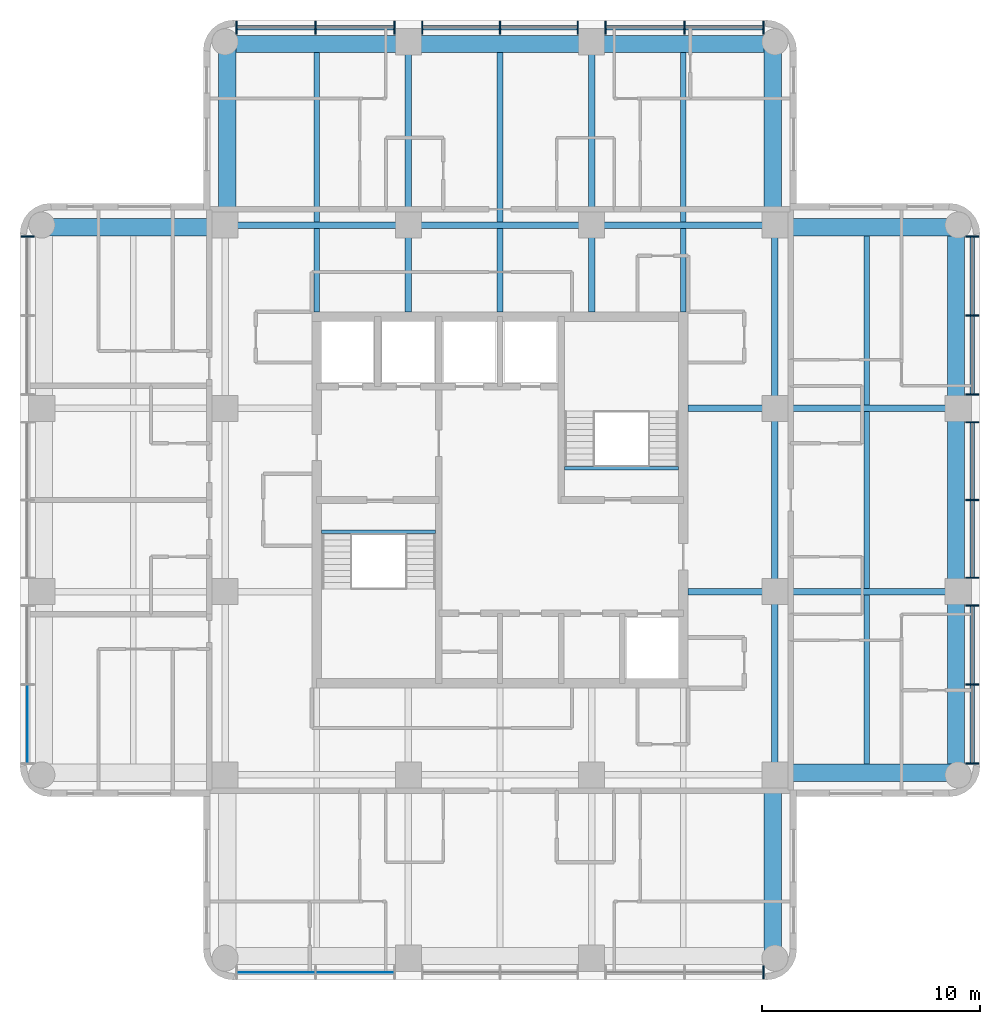
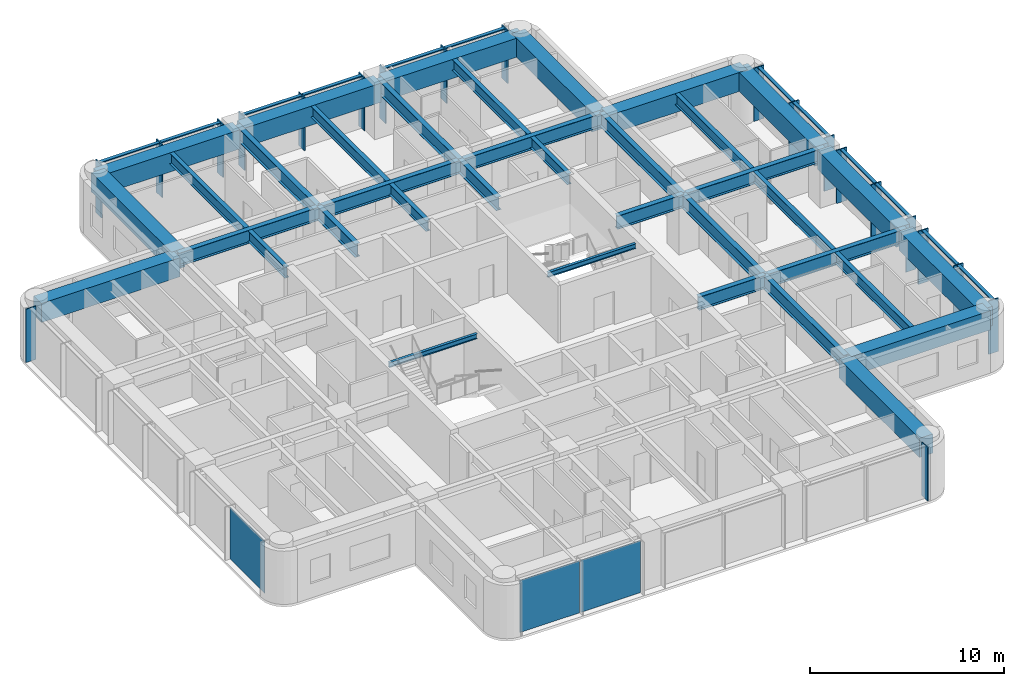
# One storey, part 2 of 10: 37 beams, 32 members, 3 plates, 4 elements without a shape of their own.
"""IFC4 building model written with IfcOpenShell, lengths in metres."""

from ifc_helpers import new_model, si_unit, direction, frame, origin, origin_2d, place, context, subcontext, project, spatial, rectangle, i_section, extrude, material, layer, layer_set, material_profile, profile_set, type_object, element, aggregate, save


model = new_model("IFC4")

# Units and contexts
model_context = context("Model", 3, precision=1e-05, world=origin(), true_north=direction((0.0, 1.0)))
body_context = subcontext(model_context, "Body", "Model", "MODEL_VIEW")
ifc_project = project(units=[si_unit("LENGTHUNIT", "METRE"), si_unit("AREAUNIT", "SQUARE_METRE"), si_unit("VOLUMEUNIT", "CUBIC_METRE"), si_unit("PLANEANGLEUNIT", "RADIAN"), si_unit("MASSUNIT", "GRAM", prefix="KILO")], contexts=[model_context])

# Site, building, storey
site_placement = place(None, origin())
site = spatial("IfcSite", under=ifc_project, at=site_placement, CompositionType="ELEMENT")
building_placement = place(site_placement, origin())
building = spatial("IfcBuilding", under=site, at=building_placement, Name="Torre Alcanfor", CompositionType="ELEMENT")
storey_placement = place(building_placement, frame((0.0, 0.0, 297.300048828125)))
storey = spatial("IfcBuildingStorey", under=building, at=storey_placement, Name="L78", CompositionType="ELEMENT", Elevation=297.300048828125)

# Curtain wall, member
ifc_material_1 = material(Name="Aluminium and glass", Category="aluminium")
curtain_wall_type = type_object("IfcCurtainWallType", Name="CW-A unitised apartment glazing with vertical FIN", PredefinedType="NOTDEFINED", material=ifc_material_1)
curtain_wall_1_placement = place(storey_placement, origin())
curtain_wall_1 = element("IfcCurtainWall", 1, at=curtain_wall_1_placement, inside=storey, type_object=curtain_wall_type, Name="Curtain wall CW-A L78 2", PredefinedType="NOTDEFINED")
ifc_material_2 = material(Name="Bronze anodised aluminium", Category="aluminium")
ifc_material_profile_1 = material_profile(ifc_material_2, rectangle(XDim=0.60009765625, YDim=0.06494140625, at=origin_2d()), Name="CW-A mullion 65x600")
ifc_profile_set_1 = profile_set([ifc_material_profile_1], Name="Bronze anodised aluminium")
member_type_1 = type_object("IfcMemberType", Name="CW-A mullion with vertical FIN 65x600", PredefinedType="MULLION", material=ifc_profile_set_1)
member_1_placement = place(storey_placement, frame((7.75, 41.47412109375, 0.0), z_axis=(0.0, 0.0, 1.0), x_axis=(1.0, 0.0, 0.0)))
member_1 = element("IfcMember", 2, at=member_1_placement, type_object=member_type_1, Name="CW-A mullion 1.1", PredefinedType="MULLION", context=body_context, shape_type="SweptSolid", body=[
    extrude(rectangle(XDim=0.60009765625, YDim=0.06494140625, at=origin_2d()), origin(), (0.0, 0.0, 1.0), 3.349853515625),
])

curtain_wall_2_placement = place(storey_placement, origin())
curtain_wall_2 = element("IfcCurtainWall", 3, at=curtain_wall_2_placement, inside=storey, type_object=curtain_wall_type, Name="Curtain wall CW-A L78 5", PredefinedType="NOTDEFINED")
member_2_placement = place(storey_placement, frame((41.47412109375, 7.75, 0.0), z_axis=(0.0, 0.0, 1.0), x_axis=(0.0, 1.0, 0.0)))
member_2 = element("IfcMember", 4, at=member_2_placement, type_object=member_type_1, Name="CW-A mullion 3.3", PredefinedType="MULLION", context=body_context, shape_type="SweptSolid", body=[
    extrude(rectangle(XDim=0.60009765625, YDim=0.06494140625, at=origin_2d()), origin(), (0.0, 0.0, 1.0), 3.349853515625),
])

# Curtain wall, members
curtain_wall_3_placement = place(storey_placement, origin())
curtain_wall_3 = element("IfcCurtainWall", 5, at=curtain_wall_3_placement, inside=storey, type_object=curtain_wall_type, Name="Curtain wall CW-A L78 8", PredefinedType="NOTDEFINED")
member_3_placement = place(storey_placement, frame((51.050048828125, 17.325927734375, 0.0), z_axis=(0.0, 0.0, 1.0), x_axis=(-1.0, 0.0, 0.0)))
member_3 = element("IfcMember", 6, at=member_3_placement, type_object=member_type_1, Name="CW-A mullion 1.1", PredefinedType="MULLION", context=body_context, shape_type="SweptSolid", body=[
    extrude(rectangle(XDim=0.60009765625, YDim=0.06494140625, at=origin_2d()), origin(), (0.0, 0.0, 1.0), 3.349853515625),
])
member_4_placement = place(storey_placement, frame((51.050048828125, 20.9443359375, 0.0), z_axis=(0.0, 0.0, 1.0), x_axis=(-1.0, 0.0, 0.0)))
member_4 = element("IfcMember", 7, at=member_4_placement, type_object=member_type_1, Name="CW-A mullion 1.2", PredefinedType="MULLION", context=body_context, shape_type="SweptSolid", body=[
    extrude(rectangle(XDim=0.60009765625, YDim=0.06494140625, at=origin_2d()), origin(), (0.0, 0.0, 1.0), 3.349853515625),
])
member_5_placement = place(storey_placement, frame((51.050048828125, 24.5625, 0.0), z_axis=(0.0, 0.0, 1.0), x_axis=(-1.0, 0.0, 0.0)))
member_5 = element("IfcMember", 8, at=member_5_placement, type_object=member_type_1, Name="CW-A mullion 1.3", PredefinedType="MULLION", context=body_context, shape_type="SweptSolid", body=[
    extrude(rectangle(XDim=0.60009765625, YDim=0.06494140625, at=origin_2d()), origin(), (0.0, 0.0, 1.0), 3.349853515625),
])
member_6_placement = place(storey_placement, frame((51.050048828125, 25.83740234375, 0.0), z_axis=(0.0, 0.0, 1.0), x_axis=(-1.0, 0.0, 0.0)))
member_6 = element("IfcMember", 9, at=member_6_placement, type_object=member_type_1, Name="CW-A mullion 2.1", PredefinedType="MULLION", context=body_context, shape_type="SweptSolid", body=[
    extrude(rectangle(XDim=0.60009765625, YDim=0.06494140625, at=origin_2d()), origin(), (0.0, 0.0, 1.0), 3.349853515625),
])
member_7_placement = place(storey_placement, frame((51.050048828125, 29.39990234375, 0.0), z_axis=(0.0, 0.0, 1.0), x_axis=(-1.0, 0.0, 0.0)))
member_7 = element("IfcMember", 10, at=member_7_placement, type_object=member_type_1, Name="CW-A mullion 2.2", PredefinedType="MULLION", context=body_context, shape_type="SweptSolid", body=[
    extrude(rectangle(XDim=0.60009765625, YDim=0.06494140625, at=origin_2d()), origin(), (0.0, 0.0, 1.0), 3.349853515625),
])
member_8_placement = place(storey_placement, frame((51.050048828125, 32.96240234375, 0.0), z_axis=(0.0, 0.0, 1.0), x_axis=(-1.0, 0.0, 0.0)))
member_8 = element("IfcMember", 11, at=member_8_placement, type_object=member_type_1, Name="CW-A mullion 2.3", PredefinedType="MULLION", context=body_context, shape_type="SweptSolid", body=[
    extrude(rectangle(XDim=0.60009765625, YDim=0.06494140625, at=origin_2d()), origin(), (0.0, 0.0, 1.0), 3.349853515625),
])
member_9_placement = place(storey_placement, frame((51.050048828125, 34.237548828125, 0.0), z_axis=(0.0, 0.0, 1.0), x_axis=(-1.0, 0.0, 0.0)))
member_9 = element("IfcMember", 12, at=member_9_placement, type_object=member_type_1, Name="CW-A mullion 3.1", PredefinedType="MULLION", context=body_context, shape_type="SweptSolid", body=[
    extrude(rectangle(XDim=0.60009765625, YDim=0.06494140625, at=origin_2d()), origin(), (0.0, 0.0, 1.0), 3.349853515625),
])
member_10_placement = place(storey_placement, frame((51.050048828125, 37.855712890625, 0.0), z_axis=(0.0, 0.0, 1.0), x_axis=(-1.0, 0.0, 0.0)))
member_10 = element("IfcMember", 13, at=member_10_placement, type_object=member_type_1, Name="CW-A mullion 3.2", PredefinedType="MULLION", context=body_context, shape_type="SweptSolid", body=[
    extrude(rectangle(XDim=0.60009765625, YDim=0.06494140625, at=origin_2d()), origin(), (0.0, 0.0, 1.0), 3.349853515625),
])
member_11_placement = place(storey_placement, frame((51.050048828125, 41.47412109375, 0.0), z_axis=(0.0, 0.0, 1.0), x_axis=(-1.0, 0.0, 0.0)))
member_11 = element("IfcMember", 14, at=member_11_placement, type_object=member_type_1, Name="CW-A mullion 3.3", PredefinedType="MULLION", context=body_context, shape_type="SweptSolid", body=[
    extrude(rectangle(XDim=0.60009765625, YDim=0.06494140625, at=origin_2d()), origin(), (0.0, 0.0, 1.0), 3.349853515625),
])

curtain_wall_4_placement = place(storey_placement, origin())
curtain_wall_4 = element("IfcCurtainWall", 15, at=curtain_wall_4_placement, inside=storey, type_object=curtain_wall_type, Name="Curtain wall CW-A L78 11", PredefinedType="NOTDEFINED")
member_12_placement = place(storey_placement, frame((41.47412109375, 51.050048828125, 0.0), z_axis=(0.0, 0.0, 1.0), x_axis=(0.0, -1.0, 0.0)))
member_12 = element("IfcMember", 16, at=member_12_placement, type_object=member_type_1, Name="CW-A mullion 1.1", PredefinedType="MULLION", context=body_context, shape_type="SweptSolid", body=[
    extrude(rectangle(XDim=0.60009765625, YDim=0.06494140625, at=origin_2d()), origin(), (0.0, 0.0, 1.0), 3.349853515625),
])
member_13_placement = place(storey_placement, frame((37.855712890625, 51.050048828125, 0.0), z_axis=(0.0, 0.0, 1.0), x_axis=(0.0, -1.0, 0.0)))
member_13 = element("IfcMember", 17, at=member_13_placement, type_object=member_type_1, Name="CW-A mullion 1.2", PredefinedType="MULLION", context=body_context, shape_type="SweptSolid", body=[
    extrude(rectangle(XDim=0.60009765625, YDim=0.06494140625, at=origin_2d()), origin(), (0.0, 0.0, 1.0), 3.349853515625),
])
member_14_placement = place(storey_placement, frame((34.237548828125, 51.050048828125, 0.0), z_axis=(0.0, 0.0, 1.0), x_axis=(0.0, -1.0, 0.0)))
member_14 = element("IfcMember", 18, at=member_14_placement, type_object=member_type_1, Name="CW-A mullion 1.3", PredefinedType="MULLION", context=body_context, shape_type="SweptSolid", body=[
    extrude(rectangle(XDim=0.60009765625, YDim=0.06494140625, at=origin_2d()), origin(), (0.0, 0.0, 1.0), 3.349853515625),
])
member_15_placement = place(storey_placement, frame((32.96240234375, 51.050048828125, 0.0), z_axis=(0.0, 0.0, 1.0), x_axis=(0.0, -1.0, 0.0)))
member_15 = element("IfcMember", 19, at=member_15_placement, type_object=member_type_1, Name="CW-A mullion 2.1", PredefinedType="MULLION", context=body_context, shape_type="SweptSolid", body=[
    extrude(rectangle(XDim=0.60009765625, YDim=0.06494140625, at=origin_2d()), origin(), (0.0, 0.0, 1.0), 3.349853515625),
])
member_16_placement = place(storey_placement, frame((29.39990234375, 51.050048828125, 0.0), z_axis=(0.0, 0.0, 1.0), x_axis=(0.0, -1.0, 0.0)))
member_16 = element("IfcMember", 20, at=member_16_placement, type_object=member_type_1, Name="CW-A mullion 2.2", PredefinedType="MULLION", context=body_context, shape_type="SweptSolid", body=[
    extrude(rectangle(XDim=0.60009765625, YDim=0.06494140625, at=origin_2d()), origin(), (0.0, 0.0, 1.0), 3.349853515625),
])
member_17_placement = place(storey_placement, frame((25.83740234375, 51.050048828125, 0.0), z_axis=(0.0, 0.0, 1.0), x_axis=(0.0, -1.0, 0.0)))
member_17 = element("IfcMember", 21, at=member_17_placement, type_object=member_type_1, Name="CW-A mullion 2.3", PredefinedType="MULLION", context=body_context, shape_type="SweptSolid", body=[
    extrude(rectangle(XDim=0.60009765625, YDim=0.06494140625, at=origin_2d()), origin(), (0.0, 0.0, 1.0), 3.349853515625),
])
member_18_placement = place(storey_placement, frame((24.5625, 51.050048828125, 0.0), z_axis=(0.0, 0.0, 1.0), x_axis=(0.0, -1.0, 0.0)))
member_18 = element("IfcMember", 22, at=member_18_placement, type_object=member_type_1, Name="CW-A mullion 3.1", PredefinedType="MULLION", context=body_context, shape_type="SweptSolid", body=[
    extrude(rectangle(XDim=0.60009765625, YDim=0.06494140625, at=origin_2d()), origin(), (0.0, 0.0, 1.0), 3.349853515625),
])
member_19_placement = place(storey_placement, frame((20.9443359375, 51.050048828125, 0.0), z_axis=(0.0, 0.0, 1.0), x_axis=(0.0, -1.0, 0.0)))
member_19 = element("IfcMember", 23, at=member_19_placement, type_object=member_type_1, Name="CW-A mullion 3.2", PredefinedType="MULLION", context=body_context, shape_type="SweptSolid", body=[
    extrude(rectangle(XDim=0.60009765625, YDim=0.06494140625, at=origin_2d()), origin(), (0.0, 0.0, 1.0), 3.349853515625),
])
member_20_placement = place(storey_placement, frame((17.325927734375, 51.050048828125, 0.0), z_axis=(0.0, 0.0, 1.0), x_axis=(0.0, -1.0, 0.0)))
member_20 = element("IfcMember", 24, at=member_20_placement, type_object=member_type_1, Name="CW-A mullion 3.3", PredefinedType="MULLION", context=body_context, shape_type="SweptSolid", body=[
    extrude(rectangle(XDim=0.60009765625, YDim=0.06494140625, at=origin_2d()), origin(), (0.0, 0.0, 1.0), 3.349853515625),
])

# Member
ifc_material_3 = material(Name="Extruded aluminium", Category="aluminium")
ifc_material_profile_2 = material_profile(ifc_material_3, rectangle(XDim=0.199951171875, YDim=0.06494140625, at=origin_2d()), Name="CW-A transom 200x65")
ifc_profile_set_2 = profile_set([ifc_material_profile_2], Name="Extruded aluminium")
member_type_2 = type_object("IfcMemberType", Name="CW-A transom 65x200", PredefinedType="USERDEFINED", material=ifc_profile_set_2)
member_21_placement = place(storey_placement, frame((51.050048828125, 17.3583984375, 3.3173828125), z_axis=(0.0, 1.0, 0.0), x_axis=(-1.0, 0.0, 0.0)))
member_21 = element("IfcMember", 25, at=member_21_placement, type_object=member_type_2, Name="CW-A transom 1.1.2", ObjectType="TRANSOM", PredefinedType="USERDEFINED", context=body_context, shape_type="SweptSolid", body=[
    extrude(rectangle(XDim=0.199951171875, YDim=0.06494140625, at=origin_2d()), origin(), (0.0, 0.0, 1.0), 3.553466796875),
])

member_22_placement = place(storey_placement, frame((51.050048828125, 20.976806640625, 3.3173828125), z_axis=(0.0, 1.0, 0.0), x_axis=(-1.0, 0.0, 0.0)))
member_22 = element("IfcMember", 26, at=member_22_placement, type_object=member_type_2, Name="CW-A transom 1.2.2", ObjectType="TRANSOM", PredefinedType="USERDEFINED", context=body_context, shape_type="SweptSolid", body=[
    extrude(rectangle(XDim=0.199951171875, YDim=0.06494140625, at=origin_2d()), origin(), (0.0, 0.0, 1.0), 3.55322265625),
])

member_23_placement = place(storey_placement, frame((51.050048828125, 25.8701171875, 3.3173828125), z_axis=(0.0, 1.0, 0.0), x_axis=(-1.0, 0.0, 0.0)))
member_23 = element("IfcMember", 27, at=member_23_placement, type_object=member_type_2, Name="CW-A transom 2.1.2", ObjectType="TRANSOM", PredefinedType="USERDEFINED", context=body_context, shape_type="SweptSolid", body=[
    extrude(rectangle(XDim=0.199951171875, YDim=0.06494140625, at=origin_2d()), origin(), (0.0, 0.0, 1.0), 3.497314453125),
])

member_24_placement = place(storey_placement, frame((51.050048828125, 29.4326171875, 3.3173828125), z_axis=(0.0, 1.0, 0.0), x_axis=(-1.0, 0.0, 0.0)))
member_24 = element("IfcMember", 28, at=member_24_placement, type_object=member_type_2, Name="CW-A transom 2.2.2", ObjectType="TRANSOM", PredefinedType="USERDEFINED", context=body_context, shape_type="SweptSolid", body=[
    extrude(rectangle(XDim=0.199951171875, YDim=0.06494140625, at=origin_2d()), origin(), (0.0, 0.0, 1.0), 3.497314453125),
])

member_25_placement = place(storey_placement, frame((51.050048828125, 34.27001953125, 3.3173828125), z_axis=(0.0, 1.0, 0.0), x_axis=(-1.0, 0.0, 0.0)))
member_25 = element("IfcMember", 29, at=member_25_placement, type_object=member_type_2, Name="CW-A transom 3.1.2", ObjectType="TRANSOM", PredefinedType="USERDEFINED", context=body_context, shape_type="SweptSolid", body=[
    extrude(rectangle(XDim=0.199951171875, YDim=0.06494140625, at=origin_2d()), origin(), (0.0, 0.0, 1.0), 3.55322265625),
])

member_26_placement = place(storey_placement, frame((51.050048828125, 37.88818359375, 3.3173828125), z_axis=(0.0, 1.0, 0.0), x_axis=(-1.0, 0.0, 0.0)))
member_26 = element("IfcMember", 30, at=member_26_placement, type_object=member_type_2, Name="CW-A transom 3.2.2", ObjectType="TRANSOM", PredefinedType="USERDEFINED", context=body_context, shape_type="SweptSolid", body=[
    extrude(rectangle(XDim=0.199951171875, YDim=0.06494140625, at=origin_2d()), origin(), (0.0, 0.0, 1.0), 3.55322265625),
])

aggregate(curtain_wall_3, [member_3, member_4, member_5, member_21, member_22, member_6, member_7, member_8, member_23, member_24, member_9, member_10, member_11, member_25, member_26])

member_27_placement = place(storey_placement, frame((41.44140625, 51.050048828125, 3.3173828125), z_axis=(-1.0, 0.0, 0.0), x_axis=(0.0, -1.0, 0.0)))
member_27 = element("IfcMember", 31, at=member_27_placement, type_object=member_type_2, Name="CW-A transom 1.1.2", ObjectType="TRANSOM", PredefinedType="USERDEFINED", context=body_context, shape_type="SweptSolid", body=[
    extrude(rectangle(XDim=0.199951171875, YDim=0.06494140625, at=origin_2d()), origin(), (0.0, 0.0, 1.0), 3.55322265625),
])

member_28_placement = place(storey_placement, frame((37.8232421875, 51.050048828125, 3.3173828125), z_axis=(-1.0, 0.0, 0.0), x_axis=(0.0, -1.0, 0.0)))
member_28 = element("IfcMember", 32, at=member_28_placement, type_object=member_type_2, Name="CW-A transom 1.2.2", ObjectType="TRANSOM", PredefinedType="USERDEFINED", context=body_context, shape_type="SweptSolid", body=[
    extrude(rectangle(XDim=0.199951171875, YDim=0.06494140625, at=origin_2d()), origin(), (0.0, 0.0, 1.0), 3.55322265625),
])

member_29_placement = place(storey_placement, frame((32.929931640625, 51.050048828125, 3.3173828125), z_axis=(-1.0, 0.0, 0.0), x_axis=(0.0, -1.0, 0.0)))
member_29 = element("IfcMember", 33, at=member_29_placement, type_object=member_type_2, Name="CW-A transom 2.1.2", ObjectType="TRANSOM", PredefinedType="USERDEFINED", context=body_context, shape_type="SweptSolid", body=[
    extrude(rectangle(XDim=0.199951171875, YDim=0.06494140625, at=origin_2d()), origin(), (0.0, 0.0, 1.0), 3.497314453125),
])

member_30_placement = place(storey_placement, frame((29.367431640625, 51.050048828125, 3.3173828125), z_axis=(-1.0, 0.0, 0.0), x_axis=(0.0, -1.0, 0.0)))
member_30 = element("IfcMember", 34, at=member_30_placement, type_object=member_type_2, Name="CW-A transom 2.2.2", ObjectType="TRANSOM", PredefinedType="USERDEFINED", context=body_context, shape_type="SweptSolid", body=[
    extrude(rectangle(XDim=0.199951171875, YDim=0.06494140625, at=origin_2d()), origin(), (0.0, 0.0, 1.0), 3.497314453125),
])

member_31_placement = place(storey_placement, frame((24.530029296875, 51.050048828125, 3.3173828125), z_axis=(-1.0, 0.0, 0.0), x_axis=(0.0, -1.0, 0.0)))
member_31 = element("IfcMember", 35, at=member_31_placement, type_object=member_type_2, Name="CW-A transom 3.1.2", ObjectType="TRANSOM", PredefinedType="USERDEFINED", context=body_context, shape_type="SweptSolid", body=[
    extrude(rectangle(XDim=0.199951171875, YDim=0.06494140625, at=origin_2d()), origin(), (0.0, 0.0, 1.0), 3.55322265625),
])

member_32_placement = place(storey_placement, frame((20.911865234375, 51.050048828125, 3.3173828125), z_axis=(-1.0, 0.0, 0.0), x_axis=(0.0, -1.0, 0.0)))
member_32 = element("IfcMember", 36, at=member_32_placement, type_object=member_type_2, Name="CW-A transom 3.2.2", ObjectType="TRANSOM", PredefinedType="USERDEFINED", context=body_context, shape_type="SweptSolid", body=[
    extrude(rectangle(XDim=0.199951171875, YDim=0.06494140625, at=origin_2d()), origin(), (0.0, 0.0, 1.0), 3.553466796875),
])

aggregate(curtain_wall_4, [member_12, member_13, member_14, member_27, member_28, member_15, member_16, member_17, member_29, member_30, member_18, member_19, member_20, member_31, member_32])

# Beams
ifc_material_4 = material(Name="Steel ASTM A992 Grade 50", Category="steel")
ifc_material_profile_3 = material_profile(ifc_material_4, i_section(OverallWidth=0.2919921875, OverallDepth=0.8408203125, WebThickness=0.0146484375, FlangeThickness=0.021728515625, at=origin_2d()), Name="W33x130")
ifc_profile_set_3 = profile_set([ifc_material_profile_3], Name="Steel ASTM A992 Grade 50")
beam_type_1 = type_object("IfcBeamType", Name="Girder W33x130", PredefinedType="BEAM", material=ifc_profile_set_3)
for number, where, z_axis, x_axis, name in (
    (37, (42.0, 25.199951171875, 2.9296875), (1.0, 0.0, 0.0), (0.0, 1.0, 0.0), "Beam 6F-7F under L79"),
    (38, (42.0, 33.60009765625, 2.9296875), (1.0, 0.0, 0.0), (0.0, 1.0, 0.0), "Beam 6G-7G under L79"),
    (39, (16.800048828125, 42.0, 2.9296875), (1.0, 0.0, 0.0), (0.0, 1.0, 0.0), "Beam 3H-4H under L79"),
):
    element("IfcBeam", number, at=place(storey_placement, frame(where, z_axis=z_axis, x_axis=x_axis)), inside=storey, type_object=beam_type_1, Name=name, PredefinedType="BEAM", context=body_context, shape_type="SweptSolid", body=[
        extrude(i_section(OverallWidth=0.2919921875, OverallDepth=0.8408203125, WebThickness=0.0146484375, FlangeThickness=0.021728515625, at=origin_2d()), origin(), (0.0, 0.0, 1.0), 8.39990234375),
    ])
beam_1_placement = place(storey_placement, frame((25.199951171875, 42.0, 2.9296875), z_axis=(1.0, 0.0, 0.0), x_axis=(0.0, 1.0, 0.0)))
element("IfcBeam", 40, at=beam_1_placement, inside=storey, type_object=beam_type_1, Name="Beam 4H-5H under L79", PredefinedType="BEAM", context=body_context, shape_type="SweptSolid", body=[
    extrude(i_section(OverallWidth=0.2919921875, OverallDepth=0.8408203125, WebThickness=0.0146484375, FlangeThickness=0.021728515625, at=origin_2d()), origin(), (0.0, 0.0, 1.0), 8.400146484375),
])
for number, where, z_axis, x_axis, name in (
    (41, (33.60009765625, 42.0, 2.9296875), (1.0, 0.0, 0.0), (0.0, 1.0, 0.0), "Beam 5H-6H under L79"),
    (42, (25.199951171875, 42.0, 2.9296875), (0.0, 1.0, 0.0), (-1.0, 0.0, 0.0), "Beam 4H-4J under L79"),
    (43, (33.60009765625, 42.0, 2.9296875), (0.0, 1.0, 0.0), (-1.0, 0.0, 0.0), "Beam 5H-5J under L79"),
    (44, (42.0, 16.800048828125, 2.9296875), (0.0, 1.0, 0.0), (-1.0, 0.0, 0.0), "Beam 6E-6F under L79"),
):
    element("IfcBeam", number, at=place(storey_placement, frame(where, z_axis=z_axis, x_axis=x_axis)), inside=storey, type_object=beam_type_1, Name=name, PredefinedType="BEAM", context=body_context, shape_type="SweptSolid", body=[
        extrude(i_section(OverallWidth=0.2919921875, OverallDepth=0.8408203125, WebThickness=0.0146484375, FlangeThickness=0.021728515625, at=origin_2d()), origin(), (0.0, 0.0, 1.0), 8.39990234375),
    ])
beam_2_placement = place(storey_placement, frame((42.0, 25.199951171875, 2.9296875), z_axis=(0.0, 1.0, 0.0), x_axis=(-1.0, 0.0, 0.0)))
element("IfcBeam", 45, at=beam_2_placement, inside=storey, type_object=beam_type_1, Name="Beam 6F-6G under L79", PredefinedType="BEAM", context=body_context, shape_type="SweptSolid", body=[
    extrude(i_section(OverallWidth=0.2919921875, OverallDepth=0.8408203125, WebThickness=0.0146484375, FlangeThickness=0.021728515625, at=origin_2d()), origin(), (0.0, 0.0, 1.0), 8.400146484375),
])
beam_3_placement = place(storey_placement, frame((42.0, 33.60009765625, 2.9296875), z_axis=(0.0, 1.0, 0.0), x_axis=(-1.0, 0.0, 0.0)))
element("IfcBeam", 46, at=beam_3_placement, inside=storey, type_object=beam_type_1, Name="Beam 6G-6H under L79", PredefinedType="BEAM", context=body_context, shape_type="SweptSolid", body=[
    extrude(i_section(OverallWidth=0.2919921875, OverallDepth=0.8408203125, WebThickness=0.0146484375, FlangeThickness=0.021728515625, at=origin_2d()), origin(), (0.0, 0.0, 1.0), 8.39990234375),
])
ifc_material_5 = material(Name="Steel ASTM A992 Grade 50", Category="steel")
ifc_material_profile_4 = material_profile(ifc_material_5, i_section(OverallWidth=0.2919921875, OverallDepth=0.8408203125, WebThickness=0.0146484375, FlangeThickness=0.021728515625, at=origin_2d()), Name="W33x130")
ifc_profile_set_4 = profile_set([ifc_material_profile_4], Name="Steel ASTM A992 Grade 50")
beam_type_2 = type_object("IfcBeamType", Name="Girder, part bay W33x130", PredefinedType="BEAM", material=ifc_profile_set_4)
for number, where, z_axis, x_axis, name in (
    (47, (25.199951171875, 42.0, 2.9296875), (0.0, -1.0, 0.0), (1.0, 0.0, 0.0), "Beam 4H-438_025 under L79"),
    (48, (33.60009765625, 42.0, 2.9296875), (0.0, -1.0, 0.0), (1.0, 0.0, 0.0), "Beam 5H-538_025 under L79"),
    (49, (42.0, 25.199951171875, 2.9296875), (-1.0, 0.0, 0.0), (0.0, -1.0, 0.0), "Beam 6F-38_025F under L79"),
    (50, (42.0, 33.60009765625, 2.9296875), (-1.0, 0.0, 0.0), (0.0, -1.0, 0.0), "Beam 6G-38_025G under L79"),
):
    element("IfcBeam", number, at=place(storey_placement, frame(where, z_axis=z_axis, x_axis=x_axis)), inside=storey, type_object=beam_type_2, Name=name, PredefinedType="BEAM", context=body_context, shape_type="SweptSolid", body=[
        extrude(i_section(OverallWidth=0.2919921875, OverallDepth=0.8408203125, WebThickness=0.0146484375, FlangeThickness=0.021728515625, at=origin_2d()), origin(), (0.0, 0.0, 1.0), 3.97509765625),
    ])
ifc_material_6 = material(Name="Concrete f'c 70 MPa", Category="concrete")
ifc_material_profile_5 = material_profile(ifc_material_6, rectangle(XDim=0.800048828125, YDim=1.199951171875, at=origin_2d()), Name="800x1200")
ifc_profile_set_5 = profile_set([ifc_material_profile_5], Name="Concrete f'c 70 MPa")
beam_type_3 = type_object("IfcBeamType", Name="RC perimeter beam 800x1200", PredefinedType="BEAM", material=ifc_profile_set_5)
beam_4_placement = place(storey_placement, frame((42.14599609375, 16.89990234375, 2.75), z_axis=(1.0, 0.0, 0.0), x_axis=(0.0, 1.0, 0.0)))
element("IfcBeam", 51, at=beam_4_placement, inside=storey, type_object=beam_type_3, Name="Beam 6E-7E under L79", PredefinedType="BEAM", context=body_context, shape_type="SweptSolid", body=[
    extrude(rectangle(XDim=0.800048828125, YDim=1.199951171875, at=origin_2d()), origin(), (0.0, 0.0, 1.0), 8.25390625),
])
beam_5_placement = place(storey_placement, frame((8.39990234375, 41.89990234375, 2.75), z_axis=(1.0, 0.0, 0.0), x_axis=(0.0, 1.0, 0.0)))
element("IfcBeam", 52, at=beam_5_placement, inside=storey, type_object=beam_type_3, Name="Beam 2H-3H under L79", PredefinedType="BEAM", context=body_context, shape_type="SweptSolid", body=[
    extrude(rectangle(XDim=0.800048828125, YDim=1.199951171875, at=origin_2d()), origin(), (0.0, 0.0, 1.0), 8.254150390625),
])
for number, where, z_axis, x_axis, name in (
    (53, (42.14599609375, 41.89990234375, 2.75), (1.0, 0.0, 0.0), (0.0, 1.0, 0.0), "Beam 6H-7H under L79"),
    (54, (16.800048828125, 50.300048828125, 2.75), (1.0, 0.0, 0.0), (0.0, 1.0, 0.0), "Beam 3J-4J under L79"),
):
    element("IfcBeam", number, at=place(storey_placement, frame(where, z_axis=z_axis, x_axis=x_axis)), inside=storey, type_object=beam_type_3, Name=name, PredefinedType="BEAM", context=body_context, shape_type="SweptSolid", body=[
        extrude(rectangle(XDim=0.800048828125, YDim=1.199951171875, at=origin_2d()), origin(), (0.0, 0.0, 1.0), 8.25390625),
    ])
beam_6_placement = place(storey_placement, frame((25.345947265625, 50.300048828125, 2.75), z_axis=(1.0, 0.0, 0.0), x_axis=(0.0, 1.0, 0.0)))
element("IfcBeam", 55, at=beam_6_placement, inside=storey, type_object=beam_type_3, Name="Beam 4J-5J under L79", PredefinedType="BEAM", context=body_context, shape_type="SweptSolid", body=[
    extrude(rectangle(XDim=0.800048828125, YDim=1.199951171875, at=origin_2d()), origin(), (0.0, 0.0, 1.0), 8.108154296875),
])
for number, where, z_axis, x_axis, name in (
    (56, (33.74609375, 50.300048828125, 2.75), (1.0, 0.0, 0.0), (0.0, 1.0, 0.0), "Beam 5J-6J under L79"),
    (57, (16.89990234375, 42.14599609375, 2.75), (0.0, 1.0, 0.0), (-1.0, 0.0, 0.0), "Beam 3H-3J under L79"),
):
    element("IfcBeam", number, at=place(storey_placement, frame(where, z_axis=z_axis, x_axis=x_axis)), inside=storey, type_object=beam_type_3, Name=name, PredefinedType="BEAM", context=body_context, shape_type="SweptSolid", body=[
        extrude(rectangle(XDim=0.800048828125, YDim=1.199951171875, at=origin_2d()), origin(), (0.0, 0.0, 1.0), 8.25390625),
    ])
beam_7_placement = place(storey_placement, frame((41.89990234375, 8.39990234375, 2.75), z_axis=(0.0, 1.0, 0.0), x_axis=(-1.0, 0.0, 0.0)))
element("IfcBeam", 58, at=beam_7_placement, inside=storey, type_object=beam_type_3, Name="Beam 6D-6E under L79", PredefinedType="BEAM", context=body_context, shape_type="SweptSolid", body=[
    extrude(rectangle(XDim=0.800048828125, YDim=1.199951171875, at=origin_2d()), origin(), (0.0, 0.0, 1.0), 8.254150390625),
])
for number, where, z_axis, x_axis, name in (
    (59, (41.89990234375, 42.14599609375, 2.75), (0.0, 1.0, 0.0), (-1.0, 0.0, 0.0), "Beam 6H-6J under L79"),
    (60, (50.300048828125, 16.800048828125, 2.75), (0.0, 1.0, 0.0), (-1.0, 0.0, 0.0), "Beam 7E-7F under L79"),
):
    element("IfcBeam", number, at=place(storey_placement, frame(where, z_axis=z_axis, x_axis=x_axis)), inside=storey, type_object=beam_type_3, Name=name, PredefinedType="BEAM", context=body_context, shape_type="SweptSolid", body=[
        extrude(rectangle(XDim=0.800048828125, YDim=1.199951171875, at=origin_2d()), origin(), (0.0, 0.0, 1.0), 8.25390625),
    ])
beam_8_placement = place(storey_placement, frame((50.300048828125, 25.345947265625, 2.75), z_axis=(0.0, 1.0, 0.0), x_axis=(-1.0, 0.0, 0.0)))
element("IfcBeam", 61, at=beam_8_placement, inside=storey, type_object=beam_type_3, Name="Beam 7F-7G under L79", PredefinedType="BEAM", context=body_context, shape_type="SweptSolid", body=[
    extrude(rectangle(XDim=0.800048828125, YDim=1.199951171875, at=origin_2d()), origin(), (0.0, 0.0, 1.0), 8.108154296875),
])
beam_9_placement = place(storey_placement, frame((50.300048828125, 33.74609375, 2.75), z_axis=(0.0, 1.0, 0.0), x_axis=(-1.0, 0.0, 0.0)))
element("IfcBeam", 62, at=beam_9_placement, inside=storey, type_object=beam_type_3, Name="Beam 7G-7H under L79", PredefinedType="BEAM", context=body_context, shape_type="SweptSolid", body=[
    extrude(rectangle(XDim=0.800048828125, YDim=1.199951171875, at=origin_2d()), origin(), (0.0, 0.0, 1.0), 8.25390625),
])
ifc_material_7 = material(Name="Steel ASTM A992 Grade 50", Category="steel")
ifc_material_profile_6 = material_profile(ifc_material_7, i_section(OverallWidth=0.25390625, OverallDepth=0.683349609375, WebThickness=0.012451171875, FlangeThickness=0.01904296875, at=origin_2d()), Name="W27x94")
ifc_profile_set_6 = profile_set([ifc_material_profile_6], Name="Steel ASTM A992 Grade 50")
beam_type_4 = type_object("IfcBeamType", Name="Secondary beam W27x94", PredefinedType="BEAM", material=ifc_profile_set_6)
for number, where, z_axis, x_axis, name in (
    (63, (21.0, 42.14599609375, 3.00830078125), (0.0, 1.0, 0.0), (-1.0, 0.0, 0.0), "Beam 21H-21J under L79"),
    (64, (29.39990234375, 42.14599609375, 3.00830078125), (0.0, 1.0, 0.0), (-1.0, 0.0, 0.0), "Beam 29_4H-29_4J under L79"),
    (65, (37.800048828125, 42.14599609375, 3.00830078125), (0.0, 1.0, 0.0), (-1.0, 0.0, 0.0), "Beam 37_8H-37_8J under L79"),
    (66, (46.199951171875, 17.300048828125, 3.00830078125), (0.0, 1.0, 0.0), (-1.0, 0.0, 0.0), "Beam 46_2E-46_2F under L79"),
):
    element("IfcBeam", number, at=place(storey_placement, frame(where, z_axis=z_axis, x_axis=x_axis)), inside=storey, type_object=beam_type_4, Name=name, PredefinedType="BEAM", context=body_context, shape_type="SweptSolid", body=[
        extrude(i_section(OverallWidth=0.25390625, OverallDepth=0.683349609375, WebThickness=0.012451171875, FlangeThickness=0.01904296875, at=origin_2d()), origin(), (0.0, 0.0, 1.0), 7.75390625),
    ])
beam_10_placement = place(storey_placement, frame((46.199951171875, 25.345947265625, 3.00830078125), z_axis=(0.0, 1.0, 0.0), x_axis=(-1.0, 0.0, 0.0)))
element("IfcBeam", 67, at=beam_10_placement, inside=storey, type_object=beam_type_4, Name="Beam 46_2F-46_2G under L79", PredefinedType="BEAM", context=body_context, shape_type="SweptSolid", body=[
    extrude(i_section(OverallWidth=0.25390625, OverallDepth=0.683349609375, WebThickness=0.012451171875, FlangeThickness=0.01904296875, at=origin_2d()), origin(), (0.0, 0.0, 1.0), 8.108154296875),
])
beam_11_placement = place(storey_placement, frame((46.199951171875, 33.74609375, 3.00830078125), z_axis=(0.0, 1.0, 0.0), x_axis=(-1.0, 0.0, 0.0)))
element("IfcBeam", 68, at=beam_11_placement, inside=storey, type_object=beam_type_4, Name="Beam 46_2G-46_2H under L79", PredefinedType="BEAM", context=body_context, shape_type="SweptSolid", body=[
    extrude(i_section(OverallWidth=0.25390625, OverallDepth=0.683349609375, WebThickness=0.012451171875, FlangeThickness=0.01904296875, at=origin_2d()), origin(), (0.0, 0.0, 1.0), 7.75390625),
])
ifc_material_8 = material(Name="Steel ASTM A992 Grade 50", Category="steel")
ifc_material_profile_7 = material_profile(ifc_material_8, i_section(OverallWidth=0.25390625, OverallDepth=0.683349609375, WebThickness=0.012451171875, FlangeThickness=0.01904296875, at=origin_2d()), Name="W27x94")
ifc_profile_set_7 = profile_set([ifc_material_profile_7], Name="Steel ASTM A992 Grade 50")
beam_type_5 = type_object("IfcBeamType", Name="Secondary beam, part bay W27x94", PredefinedType="BEAM", material=ifc_profile_set_7)
for number, where, z_axis, x_axis, name in (
    (69, (21.0, 38.02490234375, 3.00830078125), (0.0, 1.0, 0.0), (-1.0, 0.0, 0.0), "Beam 2138_025-21H under L79"),
    (70, (29.39990234375, 38.02490234375, 3.00830078125), (0.0, 1.0, 0.0), (-1.0, 0.0, 0.0), "Beam 29_438_025-29_4H under L79"),
    (71, (37.800048828125, 38.02490234375, 3.00830078125), (0.0, 1.0, 0.0), (-1.0, 0.0, 0.0), "Beam 37_838_025-37_8H under L79"),
):
    element("IfcBeam", number, at=place(storey_placement, frame(where, z_axis=z_axis, x_axis=x_axis)), inside=storey, type_object=beam_type_5, Name=name, PredefinedType="BEAM", context=body_context, shape_type="SweptSolid", body=[
        extrude(i_section(OverallWidth=0.25390625, OverallDepth=0.683349609375, WebThickness=0.012451171875, FlangeThickness=0.01904296875, at=origin_2d()), origin(), (0.0, 0.0, 1.0), 3.8291015625),
    ])
ifc_material_9 = material(Name="Steel ASTM A992 Grade 50", Category="steel")
ifc_material_profile_8 = material_profile(ifc_material_9, i_section(OverallWidth=0.164794921875, OverallDepth=0.309814453125, WebThickness=0.005859375, FlangeThickness=0.009765625, at=origin_2d()), Name="W12x26")
ifc_profile_set_8 = profile_set([ifc_material_profile_8], Name="Steel ASTM A992 Grade 50")
beam_type_6 = type_object("IfcBeamType", Name="Stair landing beam W12x26", PredefinedType="BEAM", material=ifc_profile_set_8)
for number, where, z_axis, x_axis, name in (
    (72, (21.22509765625, 27.9375, 3.2451171875), (1.0, 0.0, 0.0), (0.0, 1.0, 0.0), "Landing trimmer S1 L79"),
    (73, (32.35009765625, 30.862548828125, 3.2451171875), (1.0, 0.0, 0.0), (0.0, 1.0, 0.0), "Landing trimmer S2 L79"),
):
    element("IfcBeam", number, at=place(storey_placement, frame(where, z_axis=z_axis, x_axis=x_axis)), inside=storey, type_object=beam_type_6, Name=name, PredefinedType="BEAM", context=body_context, shape_type="SweptSolid", body=[
        extrude(i_section(OverallWidth=0.164794921875, OverallDepth=0.309814453125, WebThickness=0.005859375, FlangeThickness=0.009765625, at=origin_2d()), origin(), (0.0, 0.0, 1.0), 5.224853515625),
    ])

# Plate
ifc_material_10 = material(Name="Glass", Category="glass")
ifc_layer = layer(ifc_material_10, 0.028076171875)
ifc_layer_set = layer_set([ifc_layer], Name="CW-A clear double glazed unit")
plate_type = type_object("IfcPlateType", Name="CW-A clear double glazed unit", PredefinedType="CURTAIN_PANEL", material=ifc_layer_set)
plate_1_placement = place(storey_placement, frame((7.75, 19.135009765625, 0.0), z_axis=(0.0, 0.0, 1.0), x_axis=(0.0, -1.0, 0.0)))
plate_1 = element("IfcPlate", 74, at=plate_1_placement, type_object=plate_type, Name="CW-A panel 3.2.1", PredefinedType="CURTAIN_PANEL", context=body_context, shape_type="SweptSolid", body=[
    extrude(rectangle(XDim=3.55322265625, YDim=0.028076171875, at=origin_2d()), origin(), (0.0, 0.0, 1.0), 3.284912109375),
])

aggregate(curtain_wall_1, [member_1, plate_1])

plate_2_placement = place(storey_placement, frame((19.135009765625, 7.75, 0.0), z_axis=(0.0, 0.0, 1.0), x_axis=(1.0, 0.0, 0.0)))
plate_2 = element("IfcPlate", 75, at=plate_2_placement, type_object=plate_type, Name="CW-A panel 1.1.1", PredefinedType="CURTAIN_PANEL", context=body_context, shape_type="SweptSolid", body=[
    extrude(rectangle(XDim=3.55322265625, YDim=0.028076171875, at=origin_2d()), origin(), (0.0, 0.0, 1.0), 3.284912109375),
])

plate_3_placement = place(storey_placement, frame((22.75341796875, 7.75, 0.0), z_axis=(0.0, 0.0, 1.0), x_axis=(1.0, 0.0, 0.0)))
plate_3 = element("IfcPlate", 76, at=plate_3_placement, type_object=plate_type, Name="CW-A panel 1.2.1", PredefinedType="CURTAIN_PANEL", context=body_context, shape_type="SweptSolid", body=[
    extrude(rectangle(XDim=3.55322265625, YDim=0.028076171875, at=origin_2d()), origin(), (0.0, 0.0, 1.0), 3.284912109375),
])

aggregate(curtain_wall_2, [plate_2, plate_3, member_2])

save(model, "model.ifc")
